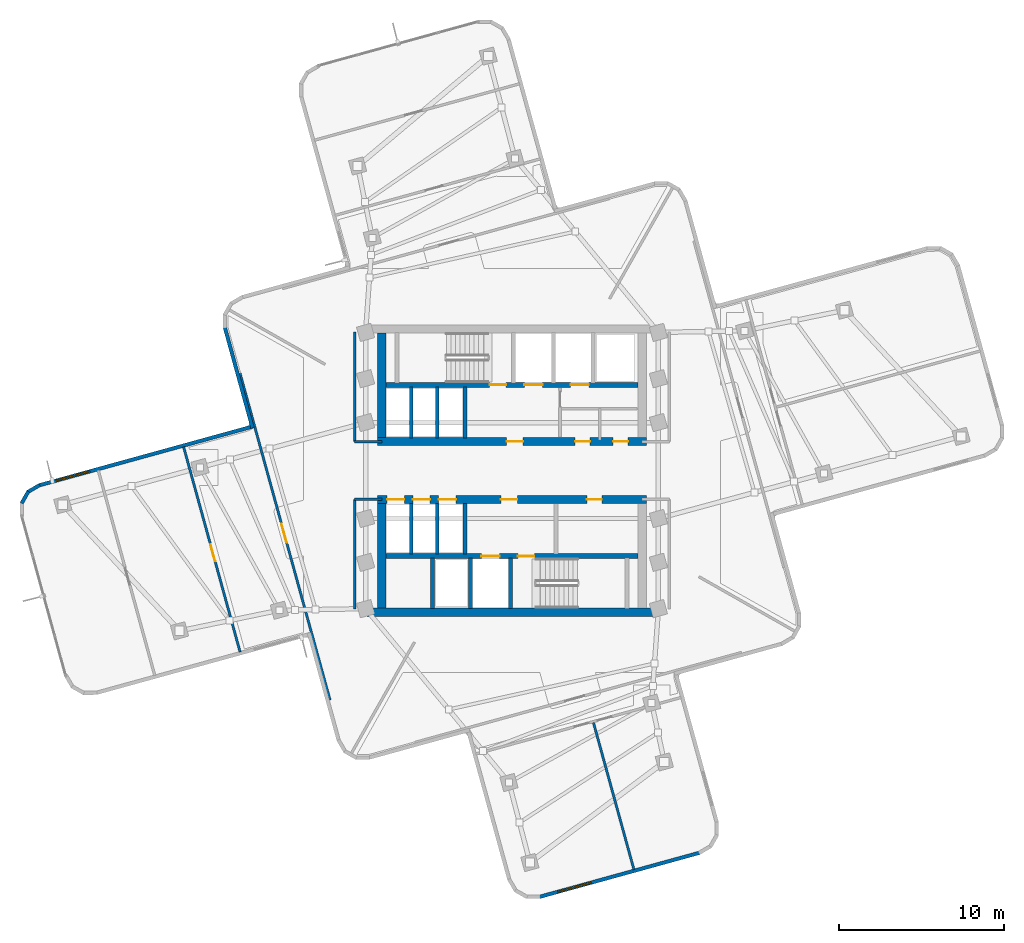
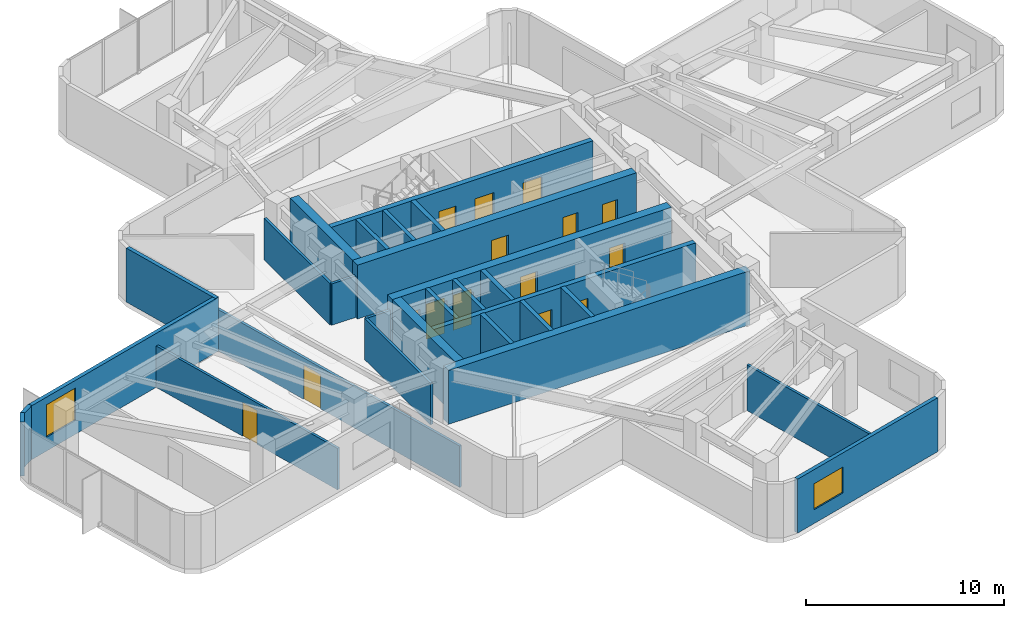
# One storey, part 7 of 12: 28 walls, 15 doors, 2 windows, 17 openings.
"""IFC4 building model written with IfcOpenShell, lengths in metres."""

from ifc_helpers import new_model, si_unit, direction, frame, frame_2d, origin, place, context, subcontext, project, spatial, rectangle, extrude, material, layer, layer_set, type_object, element, fill, save


model = new_model("IFC4")

# Units and contexts
model_context = context("Model", 3, precision=1e-05, world=origin(), true_north=direction((0.0, 1.0)))
body_context = subcontext(model_context, "Body", "Model", "MODEL_VIEW")
ifc_project = project(units=[si_unit("LENGTHUNIT", "METRE"), si_unit("AREAUNIT", "SQUARE_METRE"), si_unit("VOLUMEUNIT", "CUBIC_METRE"), si_unit("PLANEANGLEUNIT", "RADIAN"), si_unit("MASSUNIT", "GRAM", prefix="KILO")], contexts=[model_context])

# Site, building, storey
site_placement = place(None, origin())
site = spatial("IfcSite", under=ifc_project, at=site_placement, CompositionType="ELEMENT")
building_placement = place(site_placement, origin())
building = spatial("IfcBuilding", under=site, at=building_placement, Name="Solmarez Civic Tower", CompositionType="ELEMENT")
storey_placement = place(building_placement, frame((0.0, 0.0, 134.280029296875)))
storey = spatial("IfcBuildingStorey", under=building, at=storey_placement, Name="L35", CompositionType="ELEMENT", Elevation=134.280029296875)

# Wall, openings, doors
ifc_material_1 = material(Name="Concrete C60/75", Category="concrete")
ifc_layer_1 = layer(ifc_material_1, 0.5)
ifc_layer_set_1 = layer_set([ifc_layer_1], Name="Concrete C60/75")
wall_type_1 = type_object("IfcWallType", Name="WALL-CORE-500", PredefinedType="SHEAR", material=ifc_layer_set_1)
wall_1_placement = place(storey_placement, frame((8.1201171875, 1.75, 0.0), z_axis=(0.0, 0.0, 1.0), x_axis=(-1.0, 0.0, 0.0)))
wall_1 = element("IfcWall", 1, at=wall_1_placement, inside=storey, type_object=wall_type_1, Name="L35 Split-Core Structural Wall NCW-S-L35", PredefinedType="SHEAR", context=body_context, shape_type="SweptSolid", body=[
    extrude(rectangle(XDim=16.240234375, YDim=0.5, at=frame_2d((8.1201171875, 0.0))), origin(), (0.0, 0.0, 1.0), 3.320068359375),
])
opening_1_placement = place(wall_1_placement, frame((7.449951171875, 0.0, 0.0)))
opening_1 = element("IfcOpeningElement", 2, at=opening_1_placement, cuts=wall_1, Name="Opening D-04", PredefinedType="OPENING", context=body_context, shape_type="SweptSolid", body=[
    extrude(rectangle(XDim=1.0, YDim=2.10009765625, at=frame_2d((0.5, 1.050048828125))), frame((0.0, 0.260009765625, 0.0), z_axis=(0.0, -1.0, 0.0), x_axis=(1.0, 0.0, 0.0)), (0.0, 0.0, 1.0), 0.52001953125),
])
opening_2_placement = place(wall_1_placement, frame((3.39990234375, 0.0, 0.0)))
opening_2 = element("IfcOpeningElement", 3, at=opening_2_placement, cuts=wall_1, Name="Opening D-09", PredefinedType="OPENING", context=body_context, shape_type="SweptSolid", body=[
    extrude(rectangle(XDim=0.89990234375, YDim=2.06005859375, at=frame_2d((0.449951171875, 1.030029296875))), frame((0.0, 0.260009765625, 0.0), z_axis=(0.0, -1.0, 0.0), x_axis=(1.0, 0.0, 0.0)), (0.0, 0.0, 1.0), 0.52001953125),
])
opening_3_placement = place(wall_1_placement, frame((1.10009765625, 0.0, 0.0)))
opening_3 = element("IfcOpeningElement", 4, at=opening_3_placement, cuts=wall_1, Name="Opening D-09", PredefinedType="OPENING", context=body_context, shape_type="SweptSolid", body=[
    extrude(rectangle(XDim=0.89990234375, YDim=2.06005859375, at=frame_2d((0.449951171875, 1.030029296875))), frame((0.0, 0.260009765625, 0.0), z_axis=(0.0, -1.0, 0.0), x_axis=(1.0, 0.0, 0.0)), (0.0, 0.0, 1.0), 0.52001953125),
])
ifc_material_2 = material(Name="Steel-Faced Acoustic Fire Door", Category="steel")
door_type_1 = type_object("IfcDoorType", Name="DOOR-FD60-1000", OperationType="NOTDEFINED", PredefinedType="DOOR", material=ifc_material_2)
door_1_placement = place(opening_1_placement, origin())
door_1 = element("IfcDoor", 5, at=door_1_placement, inside=storey, type_object=door_type_1, Name="L35 North Firefighting Lobby Door", OperationType="SINGLE_SWING_RIGHT", OverallHeight=2.10009765625, OverallWidth=1.0, PredefinedType="DOOR", context=body_context, shape_type="SweptSolid", body=[
    extrude(rectangle(XDim=1.0, YDim=2.10009765625, at=frame_2d((0.5, 1.050048828125))), frame((0.0, 0.02490234375, 0.0), z_axis=(0.0, -1.0, 0.0), x_axis=(1.0, 0.0, 0.0)), (0.0, 0.0, 1.0), 0.050048828125),
])
fill(opening_1, door_1)
ifc_material_3 = material(Name="Fire-Rated Service Core Door", Category="wood")
door_type_2 = type_object("IfcDoorType", Name="DOOR-FD60-900", OperationType="NOTDEFINED", PredefinedType="DOOR", material=ifc_material_3)
door_2_placement = place(opening_2_placement, origin())
door_2 = element("IfcDoor", 6, at=door_2_placement, inside=storey, type_object=door_type_2, Name="L35 Core WC Door", OperationType="SINGLE_SWING_LEFT", OverallHeight=2.06005859375, OverallWidth=0.89990234375, PredefinedType="DOOR", context=body_context, shape_type="SweptSolid", body=[
    extrude(rectangle(XDim=0.89990234375, YDim=2.06005859375, at=frame_2d((0.449951171875, 1.030029296875))), frame((0.0, 0.02490234375, 0.0), z_axis=(0.0, -1.0, 0.0), x_axis=(1.0, 0.0, 0.0)), (0.0, 0.0, 1.0), 0.050048828125),
])
fill(opening_2, door_2)
door_3_placement = place(opening_3_placement, origin())
door_3 = element("IfcDoor", 7, at=door_3_placement, inside=storey, type_object=door_type_2, Name="L35 Core CL Door", OperationType="SINGLE_SWING_RIGHT", OverallHeight=2.06005859375, OverallWidth=0.89990234375, PredefinedType="DOOR", context=body_context, shape_type="SweptSolid", body=[
    extrude(rectangle(XDim=0.89990234375, YDim=2.06005859375, at=frame_2d((0.449951171875, 1.030029296875))), frame((0.0, 0.02490234375, 0.0), z_axis=(0.0, -1.0, 0.0), x_axis=(1.0, 0.0, 0.0)), (0.0, 0.0, 1.0), 0.050048828125),
])
fill(opening_3, door_3)

# Walls
wall_2_placement = place(storey_placement, frame((-7.8701171875, 2.0, 0.0), z_axis=(0.0, 0.0, 1.0), x_axis=(0.0, 1.0, 0.0)))
element("IfcWall", 8, at=wall_2_placement, inside=storey, type_object=wall_type_1, Name="L35 Split-Core Structural Wall NCW-W-L35", PredefinedType="SHEAR", context=body_context, shape_type="SweptSolid", body=[
    extrude(rectangle(XDim=6.31005859375, YDim=0.5, at=frame_2d((3.155029296875, 0.0))), origin(), (0.0, 0.0, 1.0), 3.320068359375),
])
wall_3_placement = place(storey_placement, frame((8.780029296875, -8.56005859375, 0.0), z_axis=(0.0, 0.0, 1.0), x_axis=(-1.0, 0.0, 0.0)))
element("IfcWall", 9, at=wall_3_placement, inside=storey, type_object=wall_type_1, Name="L35 Split-Core Structural Wall SCW-S-L35", PredefinedType="SHEAR", context=body_context, shape_type="SweptSolid", body=[
    extrude(rectangle(XDim=17.56005859375, YDim=0.5, at=frame_2d((8.780029296875, 0.0))), origin(), (0.0, 0.0, 1.0), 3.320068359375),
])

# Wall, openings, doors
wall_4_placement = place(storey_placement, frame((-8.1201171875, -1.75, 0.0), z_axis=(0.0, 0.0, 1.0), x_axis=(1.0, 0.0, 0.0)))
wall_4 = element("IfcWall", 10, at=wall_4_placement, inside=storey, type_object=wall_type_1, Name="L35 Split-Core Structural Wall SCW-N-L35", PredefinedType="SHEAR", context=body_context, shape_type="SweptSolid", body=[
    extrude(rectangle(XDim=16.240234375, YDim=0.5, at=frame_2d((8.1201171875, 0.0))), origin(), (0.0, 0.0, 1.0), 3.320068359375),
])
opening_4_placement = place(wall_4_placement, frame((7.449951171875, 0.0, 0.0)))
opening_4 = element("IfcOpeningElement", 11, at=opening_4_placement, cuts=wall_4, Name="Opening D-04", PredefinedType="OPENING", context=body_context, shape_type="SweptSolid", body=[
    extrude(rectangle(XDim=1.0, YDim=2.10009765625, at=frame_2d((0.5, 1.050048828125))), frame((0.0, 0.260009765625, 0.0), z_axis=(0.0, -1.0, 0.0), x_axis=(1.0, 0.0, 0.0)), (0.0, 0.0, 1.0), 0.52001953125),
])
opening_5_placement = place(wall_4_placement, frame((12.64990234375, 0.0, 0.0)))
opening_5 = element("IfcOpeningElement", 12, at=opening_5_placement, cuts=wall_4, Name="Opening D-09", PredefinedType="OPENING", context=body_context, shape_type="SweptSolid", body=[
    extrude(rectangle(XDim=0.89990234375, YDim=2.06005859375, at=frame_2d((0.449951171875, 1.030029296875))), frame((0.0, 0.260009765625, 0.0), z_axis=(0.0, -1.0, 0.0), x_axis=(1.0, 0.0, 0.0)), (0.0, 0.0, 1.0), 0.52001953125),
])
opening_6_placement = place(wall_4_placement, frame((0.56494140625, 0.0, 0.0)))
opening_6 = element("IfcOpeningElement", 13, at=opening_6_placement, cuts=wall_4, Name="Opening LD-01", PredefinedType="OPENING", context=body_context, shape_type="SweptSolid", body=[
    extrude(rectangle(XDim=1.050048828125, YDim=2.14990234375, at=frame_2d((0.52490234375, 1.074951171875))), frame((0.0, 0.260009765625, 0.0), z_axis=(0.0, -1.0, 0.0), x_axis=(1.0, 0.0, 0.0)), (0.0, 0.0, 1.0), 0.52001953125),
])
opening_7_placement = place(wall_4_placement, frame((2.125, 0.0, 0.0)))
opening_7 = element("IfcOpeningElement", 14, at=opening_7_placement, cuts=wall_4, Name="Opening LD-01", PredefinedType="OPENING", context=body_context, shape_type="SweptSolid", body=[
    extrude(rectangle(XDim=1.050048828125, YDim=2.14990234375, at=frame_2d((0.52490234375, 1.074951171875))), frame((0.0, 0.260009765625, 0.0), z_axis=(0.0, -1.0, 0.0), x_axis=(1.0, 0.0, 0.0)), (0.0, 0.0, 1.0), 0.52001953125),
])
opening_8_placement = place(wall_4_placement, frame((3.68505859375, 0.0, 0.0)))
opening_8 = element("IfcOpeningElement", 15, at=opening_8_placement, cuts=wall_4, Name="Opening LD-01", PredefinedType="OPENING", context=body_context, shape_type="SweptSolid", body=[
    extrude(rectangle(XDim=1.050048828125, YDim=2.14990234375, at=frame_2d((0.52490234375, 1.074951171875))), frame((0.0, 0.260009765625, 0.0), z_axis=(0.0, -1.0, 0.0), x_axis=(1.0, 0.0, 0.0)), (0.0, 0.0, 1.0), 0.52001953125),
])
door_4_placement = place(opening_4_placement, origin())
door_4 = element("IfcDoor", 16, at=door_4_placement, inside=storey, type_object=door_type_1, Name="L35 South Firefighting Lobby Door", OperationType="SINGLE_SWING_LEFT", OverallHeight=2.10009765625, OverallWidth=1.0, PredefinedType="DOOR", context=body_context, shape_type="SweptSolid", body=[
    extrude(rectangle(XDim=1.0, YDim=2.10009765625, at=frame_2d((0.5, 1.050048828125))), frame((0.0, 0.02490234375, 0.0), z_axis=(0.0, -1.0, 0.0), x_axis=(1.0, 0.0, 0.0)), (0.0, 0.0, 1.0), 0.050048828125),
])
fill(opening_4, door_4)
door_5_placement = place(opening_5_placement, origin())
door_5 = element("IfcDoor", 17, at=door_5_placement, inside=storey, type_object=door_type_2, Name="L35 Freed Hoistway Mailroom Door", OperationType="SINGLE_SWING_LEFT", OverallHeight=2.06005859375, OverallWidth=0.89990234375, PredefinedType="DOOR", context=body_context, shape_type="SweptSolid", body=[
    extrude(rectangle(XDim=0.89990234375, YDim=2.06005859375, at=frame_2d((0.449951171875, 1.030029296875))), frame((0.0, 0.02490234375, 0.0), z_axis=(0.0, -1.0, 0.0), x_axis=(1.0, 0.0, 0.0)), (0.0, 0.0, 1.0), 0.050048828125),
])
fill(opening_5, door_5)
ifc_material_4 = material(Name="Bronze Passenger Lift Landing Sliding Door", Category="aluminium")
door_type_3 = type_object("IfcDoorType", Name="DOOR-LD-PAX-1050", OperationType="DOUBLE_DOOR_SLIDING", PredefinedType="DOOR", material=ifc_material_4)
door_6_placement = place(opening_6_placement, origin())
door_6 = element("IfcDoor", 18, at=door_6_placement, inside=storey, type_object=door_type_3, Name="L35 Mid-Rise Lift Landing Door PL-M1", OperationType="DOUBLE_DOOR_SLIDING", OverallHeight=2.14990234375, OverallWidth=1.050048828125, PredefinedType="DOOR", context=body_context, shape_type="SweptSolid", body=[
    extrude(rectangle(XDim=1.050048828125, YDim=2.14990234375, at=frame_2d((0.52490234375, 1.074951171875))), frame((0.0, 0.02490234375, 0.0), z_axis=(0.0, -1.0, 0.0), x_axis=(1.0, 0.0, 0.0)), (0.0, 0.0, 1.0), 0.050048828125),
])
fill(opening_6, door_6)
door_7_placement = place(opening_7_placement, origin())
door_7 = element("IfcDoor", 19, at=door_7_placement, inside=storey, type_object=door_type_3, Name="L35 Mid-Rise Lift Landing Door PL-M2", OperationType="DOUBLE_DOOR_SLIDING", OverallHeight=2.14990234375, OverallWidth=1.050048828125, PredefinedType="DOOR", context=body_context, shape_type="SweptSolid", body=[
    extrude(rectangle(XDim=1.050048828125, YDim=2.14990234375, at=frame_2d((0.52490234375, 1.074951171875))), frame((0.0, 0.02490234375, 0.0), z_axis=(0.0, -1.0, 0.0), x_axis=(1.0, 0.0, 0.0)), (0.0, 0.0, 1.0), 0.050048828125),
])
fill(opening_7, door_7)
door_8_placement = place(opening_8_placement, origin())
door_8 = element("IfcDoor", 20, at=door_8_placement, inside=storey, type_object=door_type_3, Name="L35 Mid-Rise Lift Landing Door PL-M3", OperationType="DOUBLE_DOOR_SLIDING", OverallHeight=2.14990234375, OverallWidth=1.050048828125, PredefinedType="DOOR", context=body_context, shape_type="SweptSolid", body=[
    extrude(rectangle(XDim=1.050048828125, YDim=2.14990234375, at=frame_2d((0.52490234375, 1.074951171875))), frame((0.0, 0.02490234375, 0.0), z_axis=(0.0, -1.0, 0.0), x_axis=(1.0, 0.0, 0.0)), (0.0, 0.0, 1.0), 0.050048828125),
])
fill(opening_8, door_8)

# Walls
wall_5_placement = place(storey_placement, frame((-7.8701171875, -8.31005859375, 0.0), z_axis=(0.0, 0.0, 1.0), x_axis=(0.0, 1.0, 0.0)))
element("IfcWall", 21, at=wall_5_placement, inside=storey, type_object=wall_type_1, Name="L35 Split-Core Structural Wall SCW-W-L35", PredefinedType="SHEAR", context=body_context, shape_type="SweptSolid", body=[
    extrude(rectangle(XDim=6.31005859375, YDim=0.5, at=frame_2d((3.155029296875, 0.0))), origin(), (0.0, 0.0, 1.0), 3.320068359375),
])
ifc_material_5 = material(Name="Precast concrete C40/50", Category="concrete")
ifc_layer_2 = layer(ifc_material_5, 0.219970703125)
ifc_layer_set_2 = layer_set([ifc_layer_2], Name="Precast concrete C40/50")
wall_type_2 = type_object("IfcWallType", Name="WALL-EXT-220", PredefinedType="SOLIDWALL", material=ifc_layer_set_2)
wall_6_placement = place(storey_placement, frame((-29.64306640625, -1.97802734375, 0.0), z_axis=(0.0, 0.0, 1.0), x_axis=(0.492057256668, 0.87056283872, 0.0)))
element("IfcWall", 22, at=wall_6_placement, inside=storey, type_object=wall_type_2, Name="L35 Exterior Precast Wall 8", PredefinedType="SOLIDWALL", context=body_context, shape_type="SweptSolid", body=[
    extrude(rectangle(XDim=0.819091796875, YDim=0.219970703125, at=frame_2d((0.40966796875, 0.0))), origin(), (0.0, 0.0, 1.0), 3.320068359375),
])
wall_7_placement = place(storey_placement, frame((-29.27392578125, -1.300048828125, 0.0), z_axis=(0.0, 0.0, 1.0), x_axis=(0.862451814289, 0.506139178517, 0.0)))
element("IfcWall", 23, at=wall_7_placement, inside=storey, type_object=wall_type_2, Name="L35 Exterior Precast Wall 9", PredefinedType="SOLIDWALL", context=body_context, shape_type="SweptSolid", body=[
    extrude(rectangle(XDim=0.8359375, YDim=0.219970703125, at=frame_2d((0.41796875, 0.0))), origin(), (0.0, 0.0, 1.0), 3.320068359375),
])

# Wall, opening, window
wall_8_placement = place(storey_placement, frame((-28.59912109375, -0.89697265625, 0.0), z_axis=(0.0, 0.0, 1.0), x_axis=(0.964113270695, 0.265491245185, 0.0)))
wall_8 = element("IfcWall", 24, at=wall_8_placement, inside=storey, type_object=wall_type_2, Name="L35 Exterior Precast Wall 10", PredefinedType="SOLIDWALL", context=body_context, shape_type="SweptSolid", body=[
    extrude(rectangle(XDim=13.4580078125, YDim=0.219970703125, at=frame_2d((6.72900390625, 0.0))), origin(), (0.0, 0.0, 1.0), 3.320068359375),
])
opening_9_placement = place(wall_8_placement, frame((1.10009765625, 0.0, 0.85009765625)))
opening_9 = element("IfcOpeningElement", 25, at=opening_9_placement, cuts=wall_8, Name="Opening W-03", PredefinedType="OPENING", context=body_context, shape_type="SweptSolid", body=[
    extrude(rectangle(XDim=2.10009765625, YDim=2.0, at=frame_2d((1.050048828125, 1.0))), frame((0.0, 0.119873046875, 0.0), z_axis=(0.0, -1.0, 0.0), x_axis=(1.0, 0.0, 0.0)), (0.0, 0.0, 1.0), 0.239990234375),
])
ifc_material_6 = material(Name="Solar Control Bronze-Tinted Insulating Glass", Category="glass")
window_type_1 = type_object("IfcWindowType", Name="WIN-2100X2000", PartitioningType="SINGLE_PANEL", PredefinedType="WINDOW", material=ifc_material_6)
window_1_placement = place(opening_9_placement, origin())
window_1 = element("IfcWindow", 26, at=window_1_placement, inside=storey, type_object=window_type_1, Name="L35 Exterior Facade Window 10", OverallHeight=2.0, OverallWidth=2.10009765625, PartitioningType="SINGLE_PANEL", PredefinedType="WINDOW", context=body_context, shape_type="SweptSolid", body=[
    extrude(rectangle(XDim=2.10009765625, YDim=2.0, at=frame_2d((1.050048828125, 1.0))), frame((0.0, 0.030029296875, 0.0), z_axis=(0.0, -1.0, 0.0), x_axis=(1.0, 0.0, 0.0)), (0.0, 0.0, 1.0), 0.06005859375),
])
fill(opening_9, window_1)

# Wall
wall_9_placement = place(storey_placement, frame((-15.68603515625, 2.568115234375, 0.0), z_axis=(0.0, 0.0, 1.0), x_axis=(-0.265558779784, 0.964094670911, 0.0)))
element("IfcWall", 27, at=wall_9_placement, inside=storey, type_object=wall_type_2, Name="L35 Exterior Precast Wall 13", PredefinedType="SOLIDWALL", context=body_context, shape_type="SweptSolid", body=[
    extrude(rectangle(XDim=6.318603515625, YDim=0.219970703125, at=frame_2d((3.1591796875, 0.0))), origin(), (0.0, 0.0, 1.0), 3.320068359375),
])

# Wall, opening, window
wall_10_placement = place(storey_placement, frame((11.35400390625, -23.10400390625, 0.0), z_axis=(0.0, 0.0, 1.0), x_axis=(-0.964062724545, -0.265674731848, 0.0)))
wall_10 = element("IfcWall", 28, at=wall_10_placement, inside=storey, type_object=wall_type_2, Name="L35 Exterior Precast Wall 60", PredefinedType="SOLIDWALL", context=body_context, shape_type="SweptSolid", body=[
    extrude(rectangle(XDim=10.0615234375, YDim=0.219970703125, at=frame_2d((5.03076171875, 0.0))), origin(), (0.0, 0.0, 1.0), 3.320068359375),
])
opening_10_placement = place(wall_10_placement, frame((6.798095703125, 0.0, 0.85009765625)))
opening_10 = element("IfcOpeningElement", 29, at=opening_10_placement, cuts=wall_10, Name="Opening W-11", PredefinedType="OPENING", context=body_context, shape_type="SweptSolid", body=[
    extrude(rectangle(XDim=2.10009765625, YDim=1.60009765625, at=frame_2d((1.050048828125, 0.800048828125))), frame((0.0, 0.119873046875, 0.0), z_axis=(0.0, -1.0, 0.0), x_axis=(1.0, 0.0, 0.0)), (0.0, 0.0, 1.0), 0.239990234375),
])
window_type_2 = type_object("IfcWindowType", Name="WIN-2100X1600", PartitioningType="SINGLE_PANEL", PredefinedType="WINDOW", material=ifc_material_6)
window_2_placement = place(opening_10_placement, origin())
window_2 = element("IfcWindow", 30, at=window_2_placement, inside=storey, type_object=window_type_2, Name="L35 Exterior Facade Window 60", OverallHeight=1.60009765625, OverallWidth=2.10009765625, PartitioningType="SINGLE_PANEL", PredefinedType="WINDOW", context=body_context, shape_type="SweptSolid", body=[
    extrude(rectangle(XDim=2.10009765625, YDim=1.60009765625, at=frame_2d((1.050048828125, 0.800048828125))), frame((0.0, 0.030029296875, 0.0), z_axis=(0.0, -1.0, 0.0), x_axis=(1.0, 0.0, 0.0)), (0.0, 0.0, 1.0), 0.06005859375),
])
fill(opening_10, window_2)

# Walls
ifc_material_7 = material(Name="Gypsum Board Acoustic Steel-Stud Partition", Category="steel")
ifc_layer_3 = layer(ifc_material_7, 0.14990234375)
ifc_layer_set_3 = layer_set([ifc_layer_3], Name="Gypsum Board Acoustic Steel-Stud Partition")
wall_type_3 = type_object("IfcWallType", Name="WALL-INT-FIRE-150", PredefinedType="PARTITIONING", material=ifc_layer_set_3)
wall_11_placement = place(storey_placement, frame((-9.52001953125, 1.75, 0.0), z_axis=(0.0, 0.0, 1.0), x_axis=(0.0, 1.0, 0.0)))
element("IfcWall", 31, at=wall_11_placement, inside=storey, type_object=wall_type_3, Name="L35 Interior Partition CHW-L35-WN1", PredefinedType="PARTITIONING", context=body_context, shape_type="SweptSolid", body=[
    extrude(rectangle(XDim=6.6298828125, YDim=0.14990234375, at=frame_2d((3.31494140625, 0.0))), origin(), (0.0, 0.0, 1.0), 2.550048828125),
])
wall_12_placement = place(storey_placement, frame((-7.85009765625, 1.75, 0.0), z_axis=(0.0, 0.0, 1.0), x_axis=(-1.0, 0.0, 0.0)))
element("IfcWall", 32, at=wall_12_placement, inside=storey, type_object=wall_type_3, Name="L35 Interior Partition CHW-L35-WN3", PredefinedType="PARTITIONING", context=body_context, shape_type="SweptSolid", body=[
    extrude(rectangle(XDim=1.669921875, YDim=0.14990234375, at=frame_2d((0.8349609375, 0.0))), origin(), (0.0, 0.0, 1.0), 2.550048828125),
])
wall_13_placement = place(storey_placement, frame((-9.52001953125, -8.3798828125, 0.0), z_axis=(0.0, 0.0, 1.0), x_axis=(0.0, 1.0, 0.0)))
element("IfcWall", 33, at=wall_13_placement, inside=storey, type_object=wall_type_3, Name="L35 Interior Partition CHW-L35-WS1", PredefinedType="PARTITIONING", context=body_context, shape_type="SweptSolid", body=[
    extrude(rectangle(XDim=6.6298828125, YDim=0.14990234375, at=frame_2d((3.31494140625, 0.0))), origin(), (0.0, 0.0, 1.0), 2.550048828125),
])
wall_14_placement = place(storey_placement, frame((-7.85009765625, -1.75, 0.0), z_axis=(0.0, 0.0, 1.0), x_axis=(-1.0, 0.0, 0.0)))
element("IfcWall", 34, at=wall_14_placement, inside=storey, type_object=wall_type_3, Name="L35 Interior Partition CHW-L35-WS3", PredefinedType="PARTITIONING", context=body_context, shape_type="SweptSolid", body=[
    extrude(rectangle(XDim=1.669921875, YDim=0.14990234375, at=frame_2d((0.8349609375, 0.0))), origin(), (0.0, 0.0, 1.0), 2.550048828125),
])

# Wall, opening, door
ifc_layer_4 = layer(ifc_material_7, 0.14501953125)
ifc_layer_set_4 = layer_set([ifc_layer_4], Name="Gypsum Board Acoustic Steel-Stud Partition")
wall_type_4 = type_object("IfcWallType", Name="WALL-INT-PART-150", PredefinedType="PARTITIONING", material=ifc_layer_set_4)
wall_15_placement = place(storey_placement, frame((-10.9990234375, -13.87890625, 0.0), z_axis=(0.0, 0.0, 1.0), x_axis=(-0.26558288107, 0.964088031915, 0.0)))
wall_15 = element("IfcWall", 35, at=wall_15_placement, inside=storey, type_object=wall_type_4, Name="L35 Interior Partition PT-L35-W-ENT", PredefinedType="PARTITIONING", context=body_context, shape_type="SweptSolid", body=[
    extrude(rectangle(XDim=20.479248046875, YDim=0.14501953125, at=frame_2d((10.23974609375, 0.0))), origin(), (0.0, 0.0, 1.0), 2.550048828125),
])
opening_11_placement = place(wall_15_placement, frame((9.860107421875, 0.0, 0.0)))
opening_11 = element("IfcOpeningElement", 36, at=opening_11_placement, cuts=wall_15, Name="Opening D-11", PredefinedType="OPENING", context=body_context, shape_type="SweptSolid", body=[
    extrude(rectangle(XDim=1.199951171875, YDim=2.10009765625, at=frame_2d((0.60009765625, 1.050048828125))), frame((0.0, 0.08251953125, 0.0), z_axis=(0.0, -1.0, 0.0), x_axis=(1.0, 0.0, 0.0)), (0.0, 0.0, 1.0), 0.1650390625),
])
ifc_material_8 = material(Name="Glazed-Vision Acoustic Chamber Door", Category="wood")
door_type_4 = type_object("IfcDoorType", Name="DOOR-INT-1200", OperationType="NOTDEFINED", PredefinedType="DOOR", material=ifc_material_8)
door_9_placement = place(opening_11_placement, origin())
door_9 = element("IfcDoor", 37, at=door_9_placement, inside=storey, type_object=door_type_4, Name="L35 Delegates Sitting Lounge First West Door", OperationType="SINGLE_SWING_LEFT", OverallHeight=2.10009765625, OverallWidth=1.199951171875, PredefinedType="DOOR", context=body_context, shape_type="SweptSolid", body=[
    extrude(rectangle(XDim=1.199951171875, YDim=2.10009765625, at=frame_2d((0.60009765625, 1.050048828125))), frame((0.0, 0.02490234375, 0.0), z_axis=(0.0, -1.0, 0.0), x_axis=(1.0, 0.0, 0.0)), (0.0, 0.0, 1.0), 0.050048828125),
])
fill(opening_11, door_9)

wall_16_placement = place(storey_placement, frame((-16.43603515625, -10.97412109375, 0.0), z_axis=(0.0, 0.0, 1.0), x_axis=(-0.265498602623, 0.964111244621, 0.0)))
wall_16 = element("IfcWall", 38, at=wall_16_placement, inside=storey, type_object=wall_type_4, Name="L35 Interior Partition PT-L35-W-SC1", PredefinedType="PARTITIONING", context=body_context, shape_type="SweptSolid", body=[
    extrude(rectangle(XDim=12.8701171875, YDim=0.14501953125, at=frame_2d((6.43505859375, 0.0))), origin(), (0.0, 0.0, 1.0), 2.550048828125),
])
opening_12_placement = place(wall_16_placement, frame((5.68994140625, 0.0, 0.0)))
opening_12 = element("IfcOpeningElement", 39, at=opening_12_placement, cuts=wall_16, Name="Opening D-13", PredefinedType="OPENING", context=body_context, shape_type="SweptSolid", body=[
    extrude(rectangle(XDim=1.050048828125, YDim=2.080078125, at=frame_2d((0.52490234375, 1.0400390625))), frame((0.0, 0.08251953125, 0.0), z_axis=(0.0, -1.0, 0.0), x_axis=(1.0, 0.0, 0.0)), (0.0, 0.0, 1.0), 0.1650390625),
])
ifc_material_9 = material(Name="Timber Directorate Office Door", Category="wood")
door_type_5 = type_object("IfcDoorType", Name="DOOR-INT-1050", OperationType="NOTDEFINED", PredefinedType="DOOR", material=ifc_material_9)
door_10_placement = place(opening_12_placement, origin())
door_10 = element("IfcDoor", 40, at=door_10_placement, inside=storey, type_object=door_type_5, Name="L35 Public Reception Room West Door", OperationType="SINGLE_SWING_LEFT", OverallHeight=2.080078125, OverallWidth=1.050048828125, PredefinedType="DOOR", context=body_context, shape_type="SweptSolid", body=[
    extrude(rectangle(XDim=1.050048828125, YDim=2.080078125, at=frame_2d((0.52490234375, 1.0400390625))), frame((0.0, 0.02490234375, 0.0), z_axis=(0.0, -1.0, 0.0), x_axis=(1.0, 0.0, 0.0)), (0.0, 0.0, 1.0), 0.050048828125),
])
fill(opening_12, door_10)

# Wall
wall_17_placement = place(storey_placement, frame((4.924072265625, -15.239990234375, 0.0), z_axis=(0.0, 0.0, 1.0), x_axis=(0.26555117946, -0.96409676438, 0.0)))
element("IfcWall", 41, at=wall_17_placement, inside=storey, type_object=wall_type_4, Name="L35 Interior Partition PT-L35-S-TM3", PredefinedType="PARTITIONING", context=body_context, shape_type="SweptSolid", body=[
    extrude(rectangle(XDim=9.21484375, YDim=0.14501953125, at=frame_2d((4.607421875, 0.0))), origin(), (0.0, 0.0, 1.0), 2.81201171875),
])

# Wall, openings, doors
ifc_material_10 = material(Name="Concrete C50/60", Category="concrete")
ifc_layer_5 = layer(ifc_material_10, 0.300048828125)
ifc_layer_set_5 = layer_set([ifc_layer_5], Name="Concrete C50/60")
wall_type_5 = type_object("IfcWallType", Name="WALL-STR-300", PredefinedType="SOLIDWALL", material=ifc_layer_set_5)
wall_18_placement = place(storey_placement, frame((7.6201171875, 5.179931640625, 0.0), z_axis=(0.0, 0.0, 1.0), x_axis=(-1.0, 0.0, 0.0)))
wall_18 = element("IfcWall", 42, at=wall_18_placement, inside=storey, type_object=wall_type_5, Name="L35 Split-Core Structural Wall NCW-M-L35", PredefinedType="SOLIDWALL", context=body_context, shape_type="SweptSolid", body=[
    extrude(rectangle(XDim=15.240234375, YDim=0.300048828125, at=frame_2d((7.6201171875, 0.0))), origin(), (0.0, 0.0, 1.0), 3.320068359375),
])
opening_13_placement = place(wall_18_placement, frame((5.77001953125, 0.0, 0.0)))
opening_13 = element("IfcOpeningElement", 43, at=opening_13_placement, cuts=wall_18, Name="Opening LD-02", PredefinedType="OPENING", context=body_context, shape_type="SweptSolid", body=[
    extrude(rectangle(XDim=1.10009765625, YDim=2.14990234375, at=frame_2d((0.550048828125, 1.074951171875))), frame((0.0, 0.159912109375, 0.0), z_axis=(0.0, -1.0, 0.0), x_axis=(1.0, 0.0, 0.0)), (0.0, 0.0, 1.0), 0.320068359375),
])
opening_14_placement = place(wall_18_placement, frame((2.969970703125, 0.0, 0.0)))
opening_14 = element("IfcOpeningElement", 44, at=opening_14_placement, cuts=wall_18, Name="Opening LD-03", PredefinedType="OPENING", context=body_context, shape_type="SweptSolid", body=[
    extrude(rectangle(XDim=1.10009765625, YDim=2.14990234375, at=frame_2d((0.550048828125, 1.074951171875))), frame((0.0, 0.159912109375, 0.0), z_axis=(0.0, -1.0, 0.0), x_axis=(1.0, 0.0, 0.0)), (0.0, 0.0, 1.0), 0.320068359375),
])
opening_15_placement = place(wall_18_placement, frame((7.969970703125, 0.0, 0.0)))
opening_15 = element("IfcOpeningElement", 45, at=opening_15_placement, cuts=wall_18, Name="Opening D-05", PredefinedType="OPENING", context=body_context, shape_type="SweptSolid", body=[
    extrude(rectangle(XDim=1.0, YDim=2.10009765625, at=frame_2d((0.5, 1.050048828125))), frame((0.0, 0.159912109375, 0.0), z_axis=(0.0, -1.0, 0.0), x_axis=(1.0, 0.0, 0.0)), (0.0, 0.0, 1.0), 0.320068359375),
])
ifc_material_11 = material(Name="Fire-Rated Stairwell Exit Door", Category="wood")
door_type_6 = type_object("IfcDoorType", Name="DOOR-FD90-1000", OperationType="NOTDEFINED", PredefinedType="DOOR", material=ifc_material_11)
door_11_placement = place(opening_15_placement, origin())
door_11 = element("IfcDoor", 46, at=door_11_placement, inside=storey, type_object=door_type_6, Name="L35 North Exit Stair Door ST-1", OperationType="SINGLE_SWING_RIGHT", OverallHeight=2.10009765625, OverallWidth=1.0, PredefinedType="DOOR", context=body_context, shape_type="SweptSolid", body=[
    extrude(rectangle(XDim=1.0, YDim=2.10009765625, at=frame_2d((0.5, 1.050048828125))), frame((0.0, 0.02490234375, 0.0), z_axis=(0.0, -1.0, 0.0), x_axis=(1.0, 0.0, 0.0)), (0.0, 0.0, 1.0), 0.050048828125),
])
fill(opening_15, door_11)
ifc_material_12 = material(Name="Stainless Firefighting Lift Landing Sliding Door", Category="aluminium")
door_type_7 = type_object("IfcDoorType", Name="DOOR-LD-FF-1100", OperationType="DOUBLE_DOOR_SLIDING", PredefinedType="DOOR", material=ifc_material_12)
door_12_placement = place(opening_13_placement, origin())
door_12 = element("IfcDoor", 47, at=door_12_placement, inside=storey, type_object=door_type_7, Name="L35 Firefighting Lift Landing Door FFL-1", OperationType="DOUBLE_DOOR_SLIDING", OverallHeight=2.14990234375, OverallWidth=1.10009765625, PredefinedType="DOOR", context=body_context, shape_type="SweptSolid", body=[
    extrude(rectangle(XDim=1.10009765625, YDim=2.14990234375, at=frame_2d((0.550048828125, 1.074951171875))), frame((0.0, 0.02490234375, 0.0), z_axis=(0.0, -1.0, 0.0), x_axis=(1.0, 0.0, 0.0)), (0.0, 0.0, 1.0), 0.050048828125),
])
fill(opening_13, door_12)
ifc_material_13 = material(Name="Stainless Stretcher Lift Landing Sliding Door", Category="aluminium")
door_type_8 = type_object("IfcDoorType", Name="DOOR-LD-SV-1100", OperationType="DOUBLE_DOOR_SLIDING", PredefinedType="DOOR", material=ifc_material_13)
door_13_placement = place(opening_14_placement, origin())
door_13 = element("IfcDoor", 48, at=door_13_placement, inside=storey, type_object=door_type_8, Name="L35 Service Stretcher Lift Landing Door SVL-1", OperationType="DOUBLE_DOOR_SLIDING", OverallHeight=2.14990234375, OverallWidth=1.10009765625, PredefinedType="DOOR", context=body_context, shape_type="SweptSolid", body=[
    extrude(rectangle(XDim=1.10009765625, YDim=2.14990234375, at=frame_2d((0.550048828125, 1.074951171875))), frame((0.0, 0.02490234375, 0.0), z_axis=(0.0, -1.0, 0.0), x_axis=(1.0, 0.0, 0.0)), (0.0, 0.0, 1.0), 0.050048828125),
])
fill(opening_14, door_13)

wall_19_placement = place(storey_placement, frame((-7.6201171875, -5.179931640625, 0.0), z_axis=(0.0, 0.0, 1.0), x_axis=(1.0, 0.0, 0.0)))
wall_19 = element("IfcWall", 49, at=wall_19_placement, inside=storey, type_object=wall_type_5, Name="L35 Split-Core Structural Wall SCW-M-L35", PredefinedType="SOLIDWALL", context=body_context, shape_type="SweptSolid", body=[
    extrude(rectangle(XDim=15.240234375, YDim=0.300048828125, at=frame_2d((7.6201171875, 0.0))), origin(), (0.0, 0.0, 1.0), 3.320068359375),
])
opening_16_placement = place(wall_19_placement, frame((5.77001953125, 0.0, 0.0)))
opening_16 = element("IfcOpeningElement", 50, at=opening_16_placement, cuts=wall_19, Name="Opening LD-02", PredefinedType="OPENING", context=body_context, shape_type="SweptSolid", body=[
    extrude(rectangle(XDim=1.10009765625, YDim=2.14990234375, at=frame_2d((0.550048828125, 1.074951171875))), frame((0.0, 0.159912109375, 0.0), z_axis=(0.0, -1.0, 0.0), x_axis=(1.0, 0.0, 0.0)), (0.0, 0.0, 1.0), 0.320068359375),
])
opening_17_placement = place(wall_19_placement, frame((7.969970703125, 0.0, 0.0)))
opening_17 = element("IfcOpeningElement", 51, at=opening_17_placement, cuts=wall_19, Name="Opening D-05", PredefinedType="OPENING", context=body_context, shape_type="SweptSolid", body=[
    extrude(rectangle(XDim=1.0, YDim=2.10009765625, at=frame_2d((0.5, 1.050048828125))), frame((0.0, 0.159912109375, 0.0), z_axis=(0.0, -1.0, 0.0), x_axis=(1.0, 0.0, 0.0)), (0.0, 0.0, 1.0), 0.320068359375),
])
door_14_placement = place(opening_17_placement, origin())
door_14 = element("IfcDoor", 52, at=door_14_placement, inside=storey, type_object=door_type_6, Name="L35 South Exit Stair Door ST-2", OperationType="SINGLE_SWING_LEFT", OverallHeight=2.10009765625, OverallWidth=1.0, PredefinedType="DOOR", context=body_context, shape_type="SweptSolid", body=[
    extrude(rectangle(XDim=1.0, YDim=2.10009765625, at=frame_2d((0.5, 1.050048828125))), frame((0.0, 0.02490234375, 0.0), z_axis=(0.0, -1.0, 0.0), x_axis=(1.0, 0.0, 0.0)), (0.0, 0.0, 1.0), 0.050048828125),
])
fill(opening_17, door_14)
door_15_placement = place(opening_16_placement, origin())
door_15 = element("IfcDoor", 53, at=door_15_placement, inside=storey, type_object=door_type_7, Name="L35 Firefighting Lift Landing Door FFL-2", OperationType="DOUBLE_DOOR_SLIDING", OverallHeight=2.14990234375, OverallWidth=1.10009765625, PredefinedType="DOOR", context=body_context, shape_type="SweptSolid", body=[
    extrude(rectangle(XDim=1.10009765625, YDim=2.14990234375, at=frame_2d((0.550048828125, 1.074951171875))), frame((0.0, 0.02490234375, 0.0), z_axis=(0.0, -1.0, 0.0), x_axis=(1.0, 0.0, 0.0)), (0.0, 0.0, 1.0), 0.050048828125),
])
fill(opening_16, door_15)

# Walls
wall_20_placement = place(storey_placement, frame((-2.85009765625, 1.97998046875, 0.0), z_axis=(0.0, 0.0, 1.0), x_axis=(0.0, 1.0, 0.0)))
element("IfcWall", 54, at=wall_20_placement, inside=storey, type_object=wall_type_5, Name="L35 Split-Core Structural Wall SHW-NL1-L35", PredefinedType="SOLIDWALL", context=body_context, shape_type="SweptSolid", body=[
    extrude(rectangle(XDim=3.070068359375, YDim=0.25, at=frame_2d((1.53515625, 0.0))), origin(), (0.0, 0.0, 1.0), 3.320068359375),
])
for number, where, z_axis, x_axis, name in (
    (55, (-0.10009765625, -8.340087890625, 0.0), (0.0, 0.0, 1.0), (0.0, 1.0, 0.0), "L35 Split-Core Structural Wall SHW-S1-L35"),
    (56, (-2.5, -8.340087890625, 0.0), (0.0, 0.0, 1.0), (0.0, 1.0, 0.0), "L35 Split-Core Structural Wall SHW-S2-L35"),
    (57, (-4.800048828125, -8.340087890625, 0.0), (0.0, 0.0, 1.0), (0.0, 1.0, 0.0), "L35 Split-Core Structural Wall SHW-S3-L35"),
):
    element("IfcWall", number, at=place(storey_placement, frame(where, z_axis=z_axis, x_axis=x_axis)), inside=storey, type_object=wall_type_5, Name=name, PredefinedType="SOLIDWALL", context=body_context, shape_type="SweptSolid", body=[
        extrude(rectangle(XDim=3.0400390625, YDim=0.25, at=frame_2d((1.52001953125, 0.0))), origin(), (0.0, 0.0, 1.0), 3.320068359375),
    ])
wall_21_placement = place(storey_placement, frame((-2.85009765625, -5.050048828125, 0.0), z_axis=(0.0, 0.0, 1.0), x_axis=(0.0, 1.0, 0.0)))
element("IfcWall", 58, at=wall_21_placement, inside=storey, type_object=wall_type_5, Name="L35 Split-Core Structural Wall SHW-SL1-L35", PredefinedType="SOLIDWALL", context=body_context, shape_type="SweptSolid", body=[
    extrude(rectangle(XDim=3.070068359375, YDim=0.25, at=frame_2d((1.53515625, 0.0))), origin(), (0.0, 0.0, 1.0), 3.320068359375),
])
for number, where, z_axis, x_axis, name in (
    (59, (-6.080078125, 1.97998046875, 0.0), (0.0, 0.0, 1.0), (0.0, 1.0, 0.0), "L35 Split-Core Structural Wall SHW-PLH-L35-1"),
    (60, (-4.52001953125, 1.97998046875, 0.0), (0.0, 0.0, 1.0), (0.0, 1.0, 0.0), "L35 Split-Core Structural Wall SHW-PLH-L35-2"),
    (61, (-6.080078125, -5.050048828125, 0.0), (0.0, 0.0, 1.0), (0.0, 1.0, 0.0), "L35 Split-Core Structural Wall SHW-PLM-L35-1"),
    (62, (-4.52001953125, -5.050048828125, 0.0), (0.0, 0.0, 1.0), (0.0, 1.0, 0.0), "L35 Split-Core Structural Wall SHW-PLM-L35-2"),
):
    element("IfcWall", number, at=place(storey_placement, frame(where, z_axis=z_axis, x_axis=x_axis)), inside=storey, type_object=wall_type_5, Name=name, PredefinedType="SOLIDWALL", context=body_context, shape_type="SweptSolid", body=[
        extrude(rectangle(XDim=3.070068359375, YDim=0.219970703125, at=frame_2d((1.53515625, 0.0))), origin(), (0.0, 0.0, 1.0), 3.320068359375),
    ])

save(model, "model.ifc")
